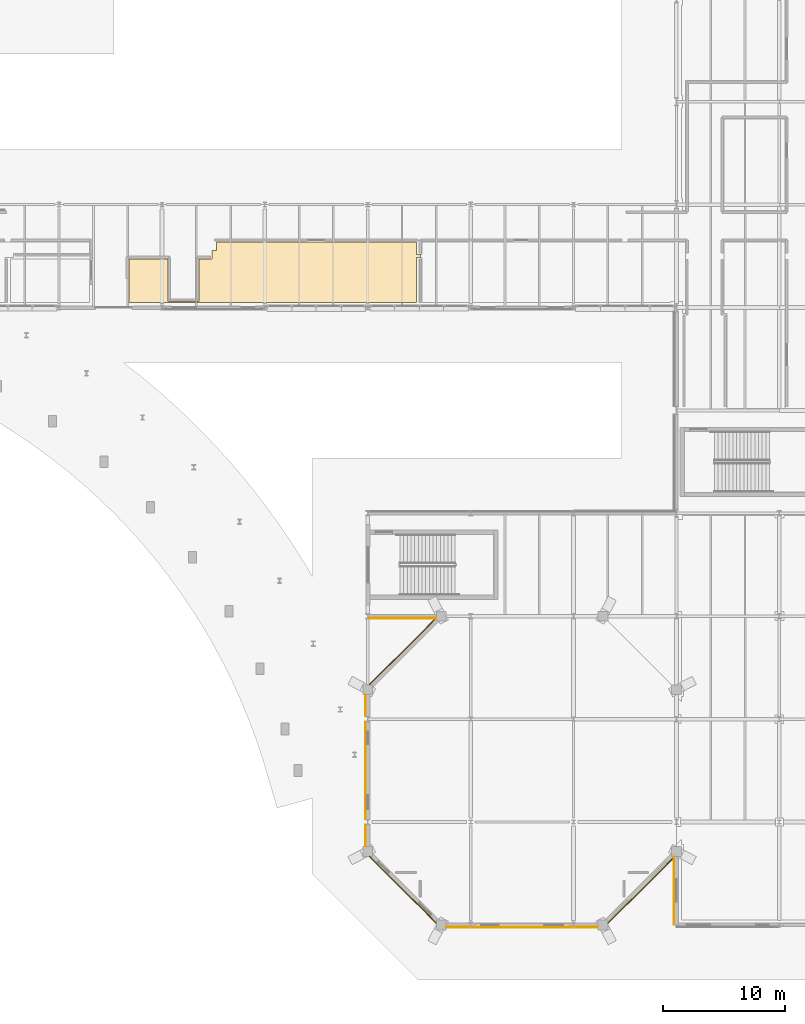
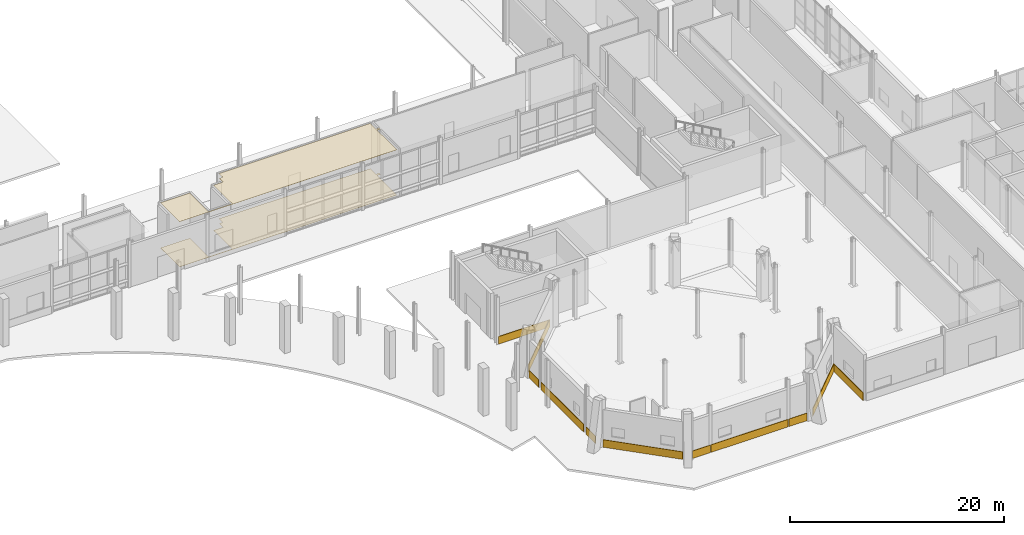
# One storey, part 99 of 124: 13 coverings.
"""IFC4 building model written with IfcOpenShell, lengths in metres."""

from ifc_helpers import new_model, si_unit, direction, frame, origin, origin_2d, place, context, subcontext, project, spatial, polyline, rectangle, outline, extrude, material, layer, layer_set, type_object, element, save


model = new_model("IFC4")

# Units and contexts
model_context = context("Model", 3, precision=1e-05, world=origin(), true_north=direction((0.0, 1.0)))
body_context = subcontext(model_context, "Body", "Model", "MODEL_VIEW")
ifc_project = project(units=[si_unit("LENGTHUNIT", "METRE"), si_unit("AREAUNIT", "SQUARE_METRE"), si_unit("VOLUMEUNIT", "CUBIC_METRE"), si_unit("PLANEANGLEUNIT", "RADIAN"), si_unit("MASSUNIT", "GRAM", prefix="KILO")], contexts=[model_context])

# Site, building, storey
site_placement = place(None, origin())
site = spatial("IfcSite", under=ifc_project, at=site_placement, CompositionType="ELEMENT")
building_placement = place(site_placement, origin())
building = spatial("IfcBuilding", under=site, at=building_placement, Name="Mersafa Astral City Hall", CompositionType="ELEMENT")
storey_placement = place(building_placement, origin())
storey = spatial("IfcBuildingStorey", under=building, at=storey_placement, Name="L00", CompositionType="ELEMENT", Elevation=0.0)

# Coverings
ifc_material_1 = material(Name="Cairo Mokattam buff limestone cladding", Category="masonry")
ifc_layer_1 = layer(ifc_material_1, 0.06005859375, Name="Cairo Mokattam buff limestone cladding")
ifc_layer_set_1 = layer_set([ifc_layer_1], Name="Cairo Mokattam buff limestone cladding — ENV-COV-LIMESTONE-60")
covering_type_1 = type_object("IfcCoveringType", Name="ENV-COV-LIMESTONE-60", PredefinedType="CLADDING", material=ifc_layer_set_1)
covering_1_placement = place(storey_placement, frame((70.008056640625, 25.030517578125, 0.0), z_axis=(0.0, 0.0, 1.0), x_axis=(1.0, 0.0, 0.0)))
element("IfcCovering", 1, at=covering_1_placement, inside=storey, type_object=covering_type_1, Name="L00 Cairo buff limestone rainscreen cladding 1", PredefinedType="CLADDING", context=body_context, shape_type="SweptSolid", body=[
    extrude(rectangle(XDim=5.5400390625, YDim=0.06005859375, at=origin_2d()), origin(), (0.0, 0.0, 1.0), 0.860107421875),
])
covering_2_placement = place(storey_placement, frame((70.064208984375, 22.335693359375, 0.0), z_axis=(0.0, 0.0, 1.0), x_axis=(-0.707106781187, -0.707106781187, 0.0)))
element("IfcCovering", 2, at=covering_2_placement, inside=storey, type_object=covering_type_1, Name="L00 Cairo buff limestone rainscreen cladding 2", PredefinedType="CLADDING", context=body_context, shape_type="SweptSolid", body=[
    extrude(rectangle(XDim=7.705078125, YDim=0.06005859375, at=origin_2d()), origin(), (0.0, 0.0, 1.0), 0.860107421875),
])
covering_3_placement = place(storey_placement, frame((67.008056640625, 17.902099609375, 0.0), z_axis=(0.0, 0.0, 1.0), x_axis=(0.0, -1.0, 0.0)))
element("IfcCovering", 3, at=covering_3_placement, inside=storey, type_object=covering_type_1, Name="L00 Cairo buff limestone rainscreen cladding 3", PredefinedType="CLADDING", context=body_context, shape_type="SweptSolid", body=[
    extrude(rectangle(XDim=1.751953125, YDim=0.06005859375, at=origin_2d()), origin(), (0.0, 0.0, 1.0), 0.860107421875),
])
covering_4_placement = place(storey_placement, frame((67.008056640625, 12.60009765625, 0.0), z_axis=(0.0, 0.0, 1.0), x_axis=(0.0, -1.0, 0.0)))
element("IfcCovering", 4, at=covering_4_placement, inside=storey, type_object=covering_type_1, Name="L00 Cairo buff limestone rainscreen cladding 4", PredefinedType="CLADDING", context=body_context, shape_type="SweptSolid", body=[
    extrude(rectangle(XDim=7.947998046875, YDim=0.06005859375, at=origin_2d()), origin(), (0.0, 0.0, 1.0), 0.860107421875),
])
covering_5_placement = place(storey_placement, frame((67.008056640625, 7.298095703125, 0.0), z_axis=(0.0, 0.0, 1.0), x_axis=(0.0, -1.0, 0.0)))
element("IfcCovering", 5, at=covering_5_placement, inside=storey, type_object=covering_type_1, Name="L00 Cairo buff limestone rainscreen cladding 5", PredefinedType="CLADDING", context=body_context, shape_type="SweptSolid", body=[
    extrude(rectangle(XDim=1.751953125, YDim=0.06005859375, at=origin_2d()), origin(), (0.0, 0.0, 1.0), 0.860107421875),
])
covering_6_placement = place(storey_placement, frame((70.064208984375, 2.8642578125, 0.0), z_axis=(0.0, 0.0, 1.0), x_axis=(0.707106781187, -0.707106781187, 0.0)))
element("IfcCovering", 6, at=covering_6_placement, inside=storey, type_object=covering_type_1, Name="L00 Cairo buff limestone rainscreen cladding 6", PredefinedType="CLADDING", context=body_context, shape_type="SweptSolid", body=[
    extrude(rectangle(XDim=7.705078125, YDim=0.06005859375, at=origin_2d()), origin(), (0.0, 0.0, 1.0), 0.860107421875),
])
covering_7_placement = place(storey_placement, frame((74.592041015625, -0.19189453125, 0.0), z_axis=(0.0, 0.0, 1.0), x_axis=(1.0, 0.0, 0.0)))
element("IfcCovering", 7, at=covering_7_placement, inside=storey, type_object=covering_type_1, Name="L00 Cairo buff limestone rainscreen cladding 7", PredefinedType="CLADDING", context=body_context, shape_type="SweptSolid", body=[
    extrude(rectangle(XDim=1.93994140625, YDim=0.06005859375, at=origin_2d()), origin(), (0.0, 0.0, 1.0), 0.860107421875),
])
covering_8_placement = place(storey_placement, frame((79.800048828125, -0.19189453125, 0.0), z_axis=(0.0, 0.0, 1.0), x_axis=(1.0, 0.0, 0.0)))
element("IfcCovering", 8, at=covering_8_placement, inside=storey, type_object=covering_type_1, Name="L00 Cairo buff limestone rainscreen cladding 8", PredefinedType="CLADDING", context=body_context, shape_type="SweptSolid", body=[
    extrude(rectangle(XDim=8.323974609375, YDim=0.06005859375, at=origin_2d()), origin(), (0.0, 0.0, 1.0), 0.860107421875),
])
covering_9_placement = place(storey_placement, frame((85.008056640625, -0.19189453125, 0.0), z_axis=(0.0, 0.0, 1.0), x_axis=(1.0, 0.0, 0.0)))
element("IfcCovering", 9, at=covering_9_placement, inside=storey, type_object=covering_type_1, Name="L00 Cairo buff limestone rainscreen cladding 9", PredefinedType="CLADDING", context=body_context, shape_type="SweptSolid", body=[
    extrude(rectangle(XDim=1.93994140625, YDim=0.06005859375, at=origin_2d()), origin(), (0.0, 0.0, 1.0), 0.860107421875),
])
covering_10_placement = place(storey_placement, frame((89.535888671875, 2.8642578125, 0.0), z_axis=(0.0, 0.0, 1.0), x_axis=(0.707106781187, 0.707106781187, 0.0)))
element("IfcCovering", 10, at=covering_10_placement, inside=storey, type_object=covering_type_1, Name="L00 Cairo buff limestone rainscreen cladding 10", PredefinedType="CLADDING", context=body_context, shape_type="SweptSolid", body=[
    extrude(rectangle(XDim=7.705078125, YDim=0.06005859375, at=origin_2d()), origin(), (0.0, 0.0, 1.0), 0.860107421875),
])
covering_11_placement = place(storey_placement, frame((92.2080078125, 2.803955078125, 0.0), z_axis=(0.0, 0.0, 1.0), x_axis=(0.0, -1.0, 0.0)))
element("IfcCovering", 11, at=covering_11_placement, inside=storey, type_object=covering_type_1, Name="L00 Cairo buff limestone rainscreen cladding 11", PredefinedType="CLADDING", context=body_context, shape_type="SweptSolid", body=[
    extrude(rectangle(XDim=5.548095703125, YDim=0.06005859375, at=origin_2d()), origin(), (0.0, 0.0, 1.0), 0.860107421875),
])
ifc_material_2 = material(Name="Perforated acoustic gypsum board ceiling", Category="gypsum")
ifc_layer_2 = layer(ifc_material_2, 0.02490234375, Name="Perforated acoustic gypsum board ceiling")
ifc_layer_set_2 = layer_set([ifc_layer_2], Name="Perforated acoustic gypsum board ceiling — INT-COV-CEIL-25")
covering_type_2 = type_object("IfcCoveringType", Name="INT-COV-CEIL-25", PredefinedType="CEILING", material=ifc_layer_set_2)
covering_12_placement = place(storey_placement, frame((0.0, 0.0, 5.156005859375)))
element("IfcCovering", 12, at=covering_12_placement, inside=storey, type_object=covering_type_2, Name="L00 Public Cafe L00-34 acoustic ceiling", PredefinedType="CEILING", context=body_context, shape_type="SweptSolid", body=[
    extrude(outline(polyline([(54.47998046875, 54.3701171875), (54.47998046875, 55.070068359375), (54.830078125, 55.070068359375), (54.830078125, 55.760009765625), (71.169921875, 55.760009765625), (71.169921875, 54.719970703125), (71.52001953125, 54.719970703125), (71.52001953125, 54.47998046875), (71.169921875, 54.47998046875), (71.169921875, 50.800048828125), (47.719970703125, 50.800048828125), (47.719970703125, 54.3701171875), (50.8798828125, 54.3701171875), (50.8798828125, 50.8798828125), (53.43994140625, 50.8798828125), (53.43994140625, 54.3701171875), (54.47998046875, 54.3701171875)])), origin(), (0.0, 0.0, 1.0), 0.02490234375),
])
ifc_material_3 = material(Name="Honed Cairo limestone terrazzo flooring", Category="masonry")
ifc_layer_3 = layer(ifc_material_3, 0.02001953125, Name="Honed Cairo limestone terrazzo flooring")
ifc_layer_set_3 = layer_set([ifc_layer_3], Name="Honed Cairo limestone terrazzo flooring — INT-COV-FLR-20")
covering_type_3 = type_object("IfcCoveringType", Name="INT-COV-FLR-20", PredefinedType="FLOORING", material=ifc_layer_set_3)
covering_13_placement = place(storey_placement, frame((0.0, 0.0, -0.00146484375)))
element("IfcCovering", 13, at=covering_13_placement, inside=storey, type_object=covering_type_3, Name="L00 Public Cafe L00-34 architectural flooring", PredefinedType="FLOORING", context=body_context, shape_type="SweptSolid", body=[
    extrude(outline(polyline([(54.47998046875, 54.3701171875), (54.47998046875, 55.070068359375), (54.830078125, 55.070068359375), (54.830078125, 55.760009765625), (71.169921875, 55.760009765625), (71.169921875, 54.719970703125), (71.52001953125, 54.719970703125), (71.52001953125, 54.47998046875), (71.169921875, 54.47998046875), (71.169921875, 50.800048828125), (47.719970703125, 50.800048828125), (47.719970703125, 54.3701171875), (50.8798828125, 54.3701171875), (50.8798828125, 50.8798828125), (53.43994140625, 50.8798828125), (53.43994140625, 54.3701171875), (54.47998046875, 54.3701171875)])), origin(), (0.0, 0.0, 1.0), 0.02001953125),
])

save(model, "model.ifc")
